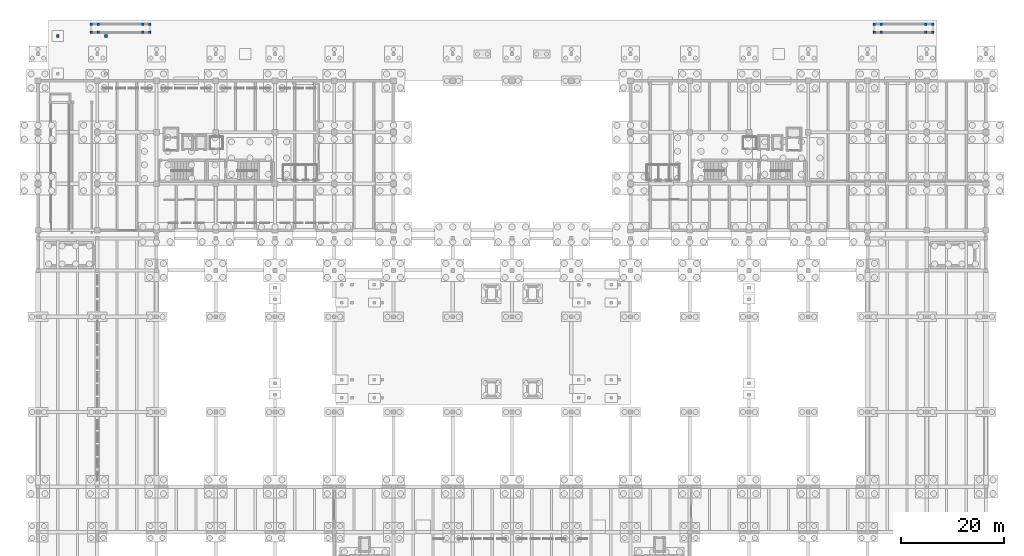
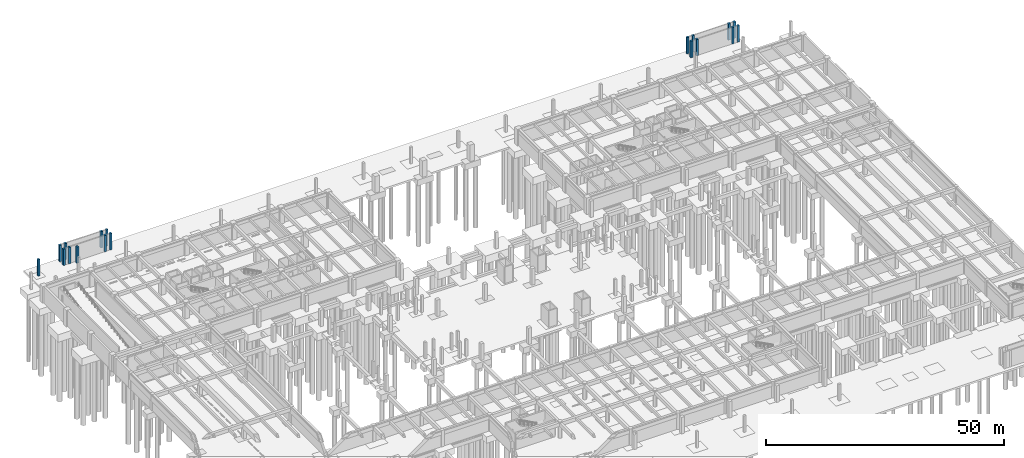
# One storey, part 10 of 28: 18 columns.
"""IFC4 building model written with IfcOpenShell, lengths in metres."""

from ifc_helpers import new_model, si_unit, direction, frame, origin, origin_2d, place, context, subcontext, project, spatial, rectangle, extrude, material, material_profile, profile_set, type_object, element, save


model = new_model("IFC4")

# Units and contexts
model_context = context("Model", 3, precision=1e-05, world=origin(), true_north=direction((0.0, 1.0)))
body_context = subcontext(model_context, "Body", "Model", "MODEL_VIEW")
ifc_project = project(units=[si_unit("LENGTHUNIT", "METRE"), si_unit("AREAUNIT", "SQUARE_METRE"), si_unit("VOLUMEUNIT", "CUBIC_METRE"), si_unit("PLANEANGLEUNIT", "RADIAN"), si_unit("MASSUNIT", "GRAM", prefix="KILO")], contexts=[model_context])

# Site, building, storey
site_placement = place(None, origin())
site = spatial("IfcSite", under=ifc_project, at=site_placement, CompositionType="ELEMENT")
building_placement = place(site_placement, origin())
building = spatial("IfcBuilding", under=site, at=building_placement, Name="Ologun Quay Terminus", CompositionType="ELEMENT")
storey_placement = place(building_placement, frame((0.0, 0.0, -8.39990234375)))
storey = spatial("IfcBuildingStorey", under=building, at=storey_placement, Name="B02", CompositionType="ELEMENT", Elevation=-8.39990234375)

# Columns
ifc_material = material(Name="Concrete C40/50", Category="concrete")
ifc_material_profile = material_profile(ifc_material, rectangle(XDim=0.5, YDim=0.5, at=origin_2d()), Name="RC 500x500")
ifc_profile_set = profile_set([ifc_material_profile], Name="Concrete C40/50")
column_type = type_object("IfcColumnType", Name="Canopy Edge Column 500x500", PredefinedType="COLUMN", material=ifc_profile_set)
for number, where, z_axis, x_axis, name in (
    (1, (10.35009765625, 124.199951171875, 0.0), (0.0, 0.0, 1.0), (1.0, 0.0, 0.0), "C8 Ramp Landing Column 1WS B02"),
    (2, (10.35009765625, 125.800048828125, 0.0), (0.0, 0.0, 1.0), (1.0, 0.0, 0.0), "C8 Ramp Landing Column 1WN B02"),
    (3, (11.64990234375, 124.199951171875, 0.0), (0.0, 0.0, 1.0), (1.0, 0.0, 0.0), "C8 Ramp Landing Column 1ES B02"),
    (4, (11.64990234375, 125.800048828125, 0.0), (0.0, 0.0, 1.0), (1.0, 0.0, 0.0), "C8 Ramp Landing Column 1EN B02"),
    (5, (20.35009765625, 124.199951171875, 0.0), (0.0, 0.0, 1.0), (1.0, 0.0, 0.0), "C8 Ramp Landing Column 2WS B02"),
    (6, (20.35009765625, 125.800048828125, 0.0), (0.0, 0.0, 1.0), (1.0, 0.0, 0.0), "C8 Ramp Landing Column 2WN B02"),
    (7, (21.64990234375, 124.199951171875, 0.0), (0.0, 0.0, 1.0), (1.0, 0.0, 0.0), "C8 Ramp Landing Column 2ES B02"),
    (8, (21.64990234375, 125.800048828125, 0.0), (0.0, 0.0, 1.0), (1.0, 0.0, 0.0), "C8 Ramp Landing Column 2EN B02"),
    (9, (162.35009765625, 124.199951171875, 0.0), (0.0, 0.0, 1.0), (1.0, 0.0, 0.0), "C8 Ramp Landing Column 3WS B02"),
    (10, (162.35009765625, 125.800048828125, 0.0), (0.0, 0.0, 1.0), (1.0, 0.0, 0.0), "C8 Ramp Landing Column 3WN B02"),
    (11, (163.64990234375, 124.199951171875, 0.0), (0.0, 0.0, 1.0), (1.0, 0.0, 0.0), "C8 Ramp Landing Column 3ES B02"),
    (12, (163.64990234375, 125.800048828125, 0.0), (0.0, 0.0, 1.0), (1.0, 0.0, 0.0), "C8 Ramp Landing Column 3EN B02"),
    (13, (172.35009765625, 124.199951171875, 0.0), (0.0, 0.0, 1.0), (1.0, 0.0, 0.0), "C8 Ramp Landing Column 4WS B02"),
    (14, (172.35009765625, 125.800048828125, 0.0), (0.0, 0.0, 1.0), (1.0, 0.0, 0.0), "C8 Ramp Landing Column 4WN B02"),
    (15, (173.64990234375, 124.199951171875, 0.0), (0.0, 0.0, 1.0), (1.0, 0.0, 0.0), "C8 Ramp Landing Column 4ES B02"),
    (16, (173.64990234375, 125.800048828125, 0.0), (0.0, 0.0, 1.0), (1.0, 0.0, 0.0), "C8 Ramp Landing Column 4EN B02"),
    (17, (3.800048828125, 123.5, 0.0), (0.0, 0.0, 1.0), (1.0, 0.0, 0.0), "C8 Driveway Apron Column 12 B02"),
    (18, (13.199951171875, 123.5, 0.0), (0.0, 0.0, 1.0), (1.0, 0.0, 0.0), "C8 Driveway Apron Column 22 B02"),
):
    element("IfcColumn", number, at=place(storey_placement, frame(where, z_axis=z_axis, x_axis=x_axis)), inside=storey, type_object=column_type, Name=name, PredefinedType="COLUMN", context=body_context, shape_type="SweptSolid", body=[
        extrude(rectangle(XDim=0.5, YDim=0.5, at=origin_2d()), origin(), (0.0, 0.0, 1.0), 4.199951171875),
    ])

save(model, "model.ifc")
